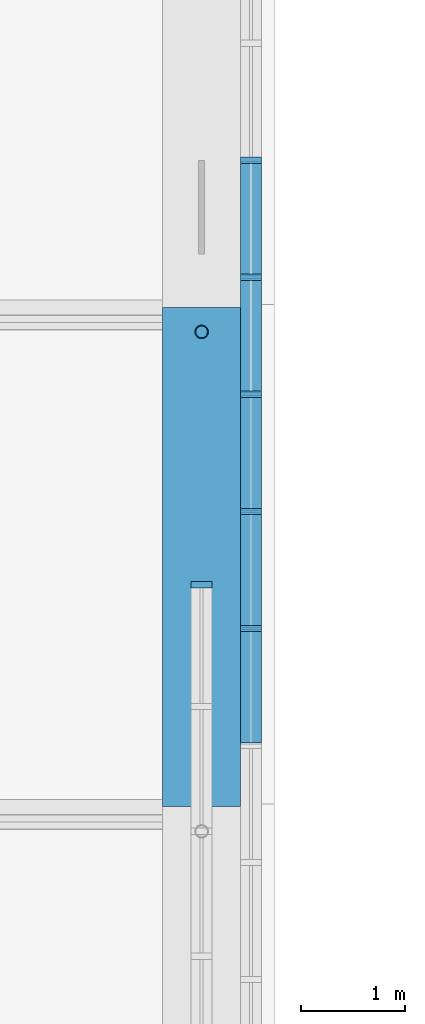
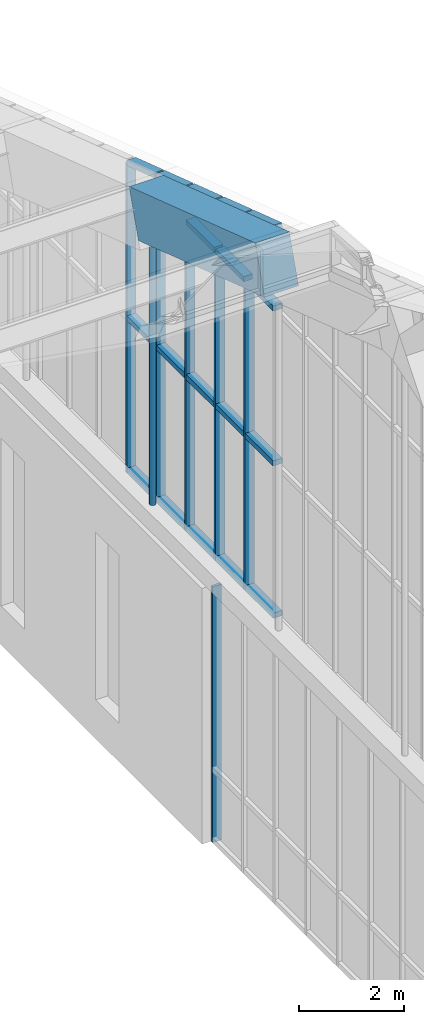
# One storey, part 100 of 149: 25 members, 1 beam, 2 elements without a shape of their own.
"""IFC4 building model written with IfcOpenShell, lengths in metres."""

from ifc_helpers import new_model, si_unit, direction, frame, origin, origin_2d, place, context, subcontext, project, spatial, rectangle, hollow_circle, extrude, material, material_profile, profile_set, type_object, element, aggregate, save


model = new_model("IFC4")

# Units and contexts
model_context = context("Model", 3, precision=1e-05, world=origin(), true_north=direction((0.0, 1.0)))
body_context = subcontext(model_context, "Body", "Model", "MODEL_VIEW")
ifc_project = project(units=[si_unit("LENGTHUNIT", "METRE"), si_unit("AREAUNIT", "SQUARE_METRE"), si_unit("VOLUMEUNIT", "CUBIC_METRE"), si_unit("PLANEANGLEUNIT", "RADIAN"), si_unit("MASSUNIT", "GRAM", prefix="KILO")], contexts=[model_context])

# Site, building, storey
site_placement = place(None, origin())
site = spatial("IfcSite", under=ifc_project, at=site_placement, CompositionType="ELEMENT")
building_placement = place(site_placement, origin())
building = spatial("IfcBuilding", under=site, at=building_placement, Name="Alderwick Market Hall", CompositionType="ELEMENT")
storey_placement = place(building_placement, frame((0.0, 0.0, 9.60009765625)))
storey = spatial("IfcBuildingStorey", under=building, at=storey_placement, Name="L01", CompositionType="ELEMENT", Elevation=9.60009765625)

# Beam
ifc_material_1 = material(Name="Concrete 5000 psi (f'c 35 MPa)", Category="concrete")
ifc_material_profile_1 = material_profile(ifc_material_1, rectangle(XDim=0.75, YDim=1.10009765625, at=origin_2d()), Name="RC 750x1100")
ifc_profile_set_1 = profile_set([ifc_material_profile_1], Name="Concrete 5000 psi (f'c 35 MPa)")
beam_type = type_object("IfcBeamType", Name="R Arch Rib Crown 750x1100", PredefinedType="BEAM", material=ifc_profile_set_1)
beam_placement = place(storey_placement, frame((151.199951171875, 84.063232421875, 14.78955078125), z_axis=(0.0, 0.948692948114, -0.316198814353), x_axis=(-1.0, 0.0, 0.0)))
element("IfcBeam", 1, at=beam_placement, inside=storey, type_object=beam_type, Name="Arch rib 8 chord 8", PredefinedType="BEAM", context=body_context, shape_type="SweptSolid", body=[
    extrude(rectangle(XDim=0.75, YDim=1.10009765625, at=origin_2d()), origin(), (0.0, 0.0, 1.0), 5.0595703125),
])

# Curtain wall, member
ifc_material_2 = material(Name="Aluminium", Category="aluminium")
curtain_wall_type = type_object("IfcCurtainWallType", Name="R Curtain Wall Frame", PredefinedType="NOTDEFINED", material=ifc_material_2)
curtain_wall_1_placement = place(storey_placement, origin())
curtain_wall_1 = element("IfcCurtainWall", 2, at=curtain_wall_1_placement, inside=storey, type_object=curtain_wall_type, Name="Curtain wall GCW2", PredefinedType="NOTDEFINED")
ifc_material_profile_2 = material_profile(ifc_material_2, rectangle(XDim=0.199951171875, YDim=0.06005859375, at=origin_2d()), Name="AL 60x200")
ifc_profile_set_2 = profile_set([ifc_material_profile_2], Name="Aluminium")
member_type_1 = type_object("IfcMemberType", Name="R CW Mullion 60x200", PredefinedType="MULLION", material=ifc_profile_set_2)
member_1_placement = place(storey_placement, frame((151.199951171875, 86.3701171875, 0.0), z_axis=(0.0, 0.0, 1.0), x_axis=(1.0, 0.0, 0.0)))
member_1 = element("IfcMember", 3, at=member_1_placement, type_object=member_type_1, Name="GCW2 mullion 13", PredefinedType="MULLION", context=body_context, shape_type="SweptSolid", body=[
    extrude(rectangle(XDim=0.199951171875, YDim=0.06005859375, at=origin_2d()), origin(), (0.0, 0.0, 1.0), 5.94677734375),
])
aggregate(curtain_wall_1, [member_1])

# Curtain wall, members
curtain_wall_2_placement = place(storey_placement, origin())
curtain_wall_2 = element("IfcCurtainWall", 4, at=curtain_wall_2_placement, inside=storey, type_object=curtain_wall_type, Name="Curtain wall GCW3", PredefinedType="NOTDEFINED")
member_2_placement = place(storey_placement, frame((151.675048828125, 85.949951171875, 5.94677734375), z_axis=(0.0, 0.0, 1.0), x_axis=(1.0, 0.0, 0.0)))
member_2 = element("IfcMember", 5, at=member_2_placement, type_object=member_type_1, Name="GCW3 mullion 31", PredefinedType="MULLION", context=body_context, shape_type="SweptSolid", body=[
    extrude(rectangle(XDim=0.199951171875, YDim=0.06005859375, at=origin_2d()), origin(), (0.0, 0.0, 1.0), 8.700439453125),
])
member_3_placement = place(storey_placement, frame((151.675048828125, 87.074951171875, 5.94677734375), z_axis=(0.0, 0.0, 1.0), x_axis=(1.0, 0.0, 0.0)))
member_3 = element("IfcMember", 6, at=member_3_placement, type_object=member_type_1, Name="GCW3 mullion 32", PredefinedType="MULLION", context=body_context, shape_type="SweptSolid", body=[
    extrude(rectangle(XDim=0.199951171875, YDim=0.06005859375, at=origin_2d()), origin(), (0.0, 0.0, 1.0), 8.325439453125),
])
member_4_placement = place(storey_placement, frame((151.675048828125, 88.199951171875, 5.94677734375), z_axis=(0.0, 0.0, 1.0), x_axis=(1.0, 0.0, 0.0)))
member_4 = element("IfcMember", 7, at=member_4_placement, type_object=member_type_1, Name="GCW3 mullion 33", PredefinedType="MULLION", context=body_context, shape_type="SweptSolid", body=[
    extrude(rectangle(XDim=0.199951171875, YDim=0.06005859375, at=origin_2d()), origin(), (0.0, 0.0, 1.0), 7.950439453125),
])
member_5_placement = place(storey_placement, frame((151.675048828125, 89.324951171875, 5.94677734375), z_axis=(0.0, 0.0, 1.0), x_axis=(1.0, 0.0, 0.0)))
member_5 = element("IfcMember", 8, at=member_5_placement, type_object=member_type_1, Name="GCW3 mullion 34", PredefinedType="MULLION", context=body_context, shape_type="SweptSolid", body=[
    extrude(rectangle(XDim=0.199951171875, YDim=0.06005859375, at=origin_2d()), origin(), (0.0, 0.0, 1.0), 7.575439453125),
])
member_6_placement = place(storey_placement, frame((151.675048828125, 90.449951171875, 5.94677734375), z_axis=(0.0, 0.0, 1.0), x_axis=(1.0, 0.0, 0.0)))
member_6 = element("IfcMember", 9, at=member_6_placement, type_object=member_type_1, Name="GCW3 mullion 35", PredefinedType="MULLION", context=body_context, shape_type="SweptSolid", body=[
    extrude(rectangle(XDim=0.199951171875, YDim=0.06005859375, at=origin_2d()), origin(), (0.0, 0.0, 1.0), 7.200439453125),
])
ifc_material_profile_3 = material_profile(ifc_material_2, rectangle(XDim=0.199951171875, YDim=0.1201171875, at=origin_2d()), Name="AL 120x200")
ifc_profile_set_3 = profile_set([ifc_material_profile_3], Name="Aluminium")
member_type_2 = type_object("IfcMemberType", Name="R CW Transom 120x200", PredefinedType="USERDEFINED", material=ifc_profile_set_3)
member_7_placement = place(storey_placement, frame((151.675048828125, 84.85498046875, 6.006591796875), z_axis=(0.0, 1.0, 0.0), x_axis=(-1.0, 0.0, 0.0)))
member_7 = element("IfcMember", 10, at=member_7_placement, type_object=member_type_2, Name="GCW3 sill transom 30", ObjectType="TRANSOM", PredefinedType="USERDEFINED", context=body_context, shape_type="SweptSolid", body=[
    extrude(rectangle(XDim=0.199951171875, YDim=0.1201171875, at=origin_2d()), origin(), (0.0, 0.0, 1.0), 1.06494140625),
])
member_8_placement = place(storey_placement, frame((151.675048828125, 84.85498046875, 9.546630859375), z_axis=(0.0, 1.0, 0.0), x_axis=(-1.0, 0.0, 0.0)))
member_8 = element("IfcMember", 11, at=member_8_placement, type_object=member_type_2, Name="GCW3 transom 30.1", ObjectType="TRANSOM", PredefinedType="USERDEFINED", context=body_context, shape_type="SweptSolid", body=[
    extrude(rectangle(XDim=0.199951171875, YDim=0.1201171875, at=origin_2d()), origin(), (0.0, 0.0, 1.0), 1.06494140625),
])
member_9_placement = place(storey_placement, frame((151.675048828125, 84.85498046875, 13.146728515625), z_axis=(0.0, 1.0, 0.0), x_axis=(-1.0, 0.0, 0.0)))
member_9 = element("IfcMember", 12, at=member_9_placement, type_object=member_type_2, Name="GCW3 transom 30.2", ObjectType="TRANSOM", PredefinedType="USERDEFINED", context=body_context, shape_type="SweptSolid", body=[
    extrude(rectangle(XDim=0.199951171875, YDim=0.1201171875, at=origin_2d()), origin(), (0.0, 0.0, 1.0), 1.06494140625),
])
member_10_placement = place(storey_placement, frame((151.675048828125, 84.85498046875, 15.01220703125), z_axis=(0.0, 0.948683298051, -0.316227766017), x_axis=(-1.0, 0.0, 0.0)))
member_10 = element("IfcMember", 13, at=member_10_placement, type_object=member_type_2, Name="GCW3 arch cap 30", ObjectType="TRANSOM", PredefinedType="USERDEFINED", context=body_context, shape_type="SweptSolid", body=[
    extrude(rectangle(XDim=0.199951171875, YDim=0.1201171875, at=origin_2d()), origin(), (0.0, 0.0, 1.0), 1.12255859375),
])
member_11_placement = place(storey_placement, frame((151.675048828125, 85.97998046875, 6.006591796875), z_axis=(0.0, 1.0, 0.0), x_axis=(-1.0, 0.0, 0.0)))
member_11 = element("IfcMember", 14, at=member_11_placement, type_object=member_type_2, Name="GCW3 sill transom 31", ObjectType="TRANSOM", PredefinedType="USERDEFINED", context=body_context, shape_type="SweptSolid", body=[
    extrude(rectangle(XDim=0.199951171875, YDim=0.1201171875, at=origin_2d()), origin(), (0.0, 0.0, 1.0), 1.06494140625),
])
member_12_placement = place(storey_placement, frame((151.675048828125, 85.97998046875, 9.546630859375), z_axis=(0.0, 1.0, 0.0), x_axis=(-1.0, 0.0, 0.0)))
member_12 = element("IfcMember", 15, at=member_12_placement, type_object=member_type_2, Name="GCW3 transom 31.1", ObjectType="TRANSOM", PredefinedType="USERDEFINED", context=body_context, shape_type="SweptSolid", body=[
    extrude(rectangle(XDim=0.199951171875, YDim=0.1201171875, at=origin_2d()), origin(), (0.0, 0.0, 1.0), 1.06494140625),
])
member_13_placement = place(storey_placement, frame((151.675048828125, 85.97998046875, 13.146728515625), z_axis=(0.0, 1.0, 0.0), x_axis=(-1.0, 0.0, 0.0)))
member_13 = element("IfcMember", 16, at=member_13_placement, type_object=member_type_2, Name="GCW3 transom 31.2", ObjectType="TRANSOM", PredefinedType="USERDEFINED", context=body_context, shape_type="SweptSolid", body=[
    extrude(rectangle(XDim=0.199951171875, YDim=0.1201171875, at=origin_2d()), origin(), (0.0, 0.0, 1.0), 1.06494140625),
])
member_14_placement = place(storey_placement, frame((151.675048828125, 85.97998046875, 14.63720703125), z_axis=(0.0, 0.948683298051, -0.316227766017), x_axis=(-1.0, 0.0, 0.0)))
member_14 = element("IfcMember", 17, at=member_14_placement, type_object=member_type_2, Name="GCW3 arch cap 31", ObjectType="TRANSOM", PredefinedType="USERDEFINED", context=body_context, shape_type="SweptSolid", body=[
    extrude(rectangle(XDim=0.199951171875, YDim=0.1201171875, at=origin_2d()), origin(), (0.0, 0.0, 1.0), 1.12255859375),
])
member_15_placement = place(storey_placement, frame((151.675048828125, 87.10498046875, 6.006591796875), z_axis=(0.0, 1.0, 0.0), x_axis=(-1.0, 0.0, 0.0)))
member_15 = element("IfcMember", 18, at=member_15_placement, type_object=member_type_2, Name="GCW3 sill transom 32", ObjectType="TRANSOM", PredefinedType="USERDEFINED", context=body_context, shape_type="SweptSolid", body=[
    extrude(rectangle(XDim=0.199951171875, YDim=0.1201171875, at=origin_2d()), origin(), (0.0, 0.0, 1.0), 1.06494140625),
])
member_16_placement = place(storey_placement, frame((151.675048828125, 87.10498046875, 9.546630859375), z_axis=(0.0, 1.0, 0.0), x_axis=(-1.0, 0.0, 0.0)))
member_16 = element("IfcMember", 19, at=member_16_placement, type_object=member_type_2, Name="GCW3 transom 32.1", ObjectType="TRANSOM", PredefinedType="USERDEFINED", context=body_context, shape_type="SweptSolid", body=[
    extrude(rectangle(XDim=0.199951171875, YDim=0.1201171875, at=origin_2d()), origin(), (0.0, 0.0, 1.0), 1.06494140625),
])
member_17_placement = place(storey_placement, frame((151.675048828125, 87.10498046875, 13.146728515625), z_axis=(0.0, 1.0, 0.0), x_axis=(-1.0, 0.0, 0.0)))
member_17 = element("IfcMember", 20, at=member_17_placement, type_object=member_type_2, Name="GCW3 transom 32.2", ObjectType="TRANSOM", PredefinedType="USERDEFINED", context=body_context, shape_type="SweptSolid", body=[
    extrude(rectangle(XDim=0.199951171875, YDim=0.1201171875, at=origin_2d()), origin(), (0.0, 0.0, 1.0), 1.06494140625),
])
member_18_placement = place(storey_placement, frame((151.675048828125, 87.10498046875, 14.26220703125), z_axis=(0.0, 0.948683298051, -0.316227766017), x_axis=(-1.0, 0.0, 0.0)))
member_18 = element("IfcMember", 21, at=member_18_placement, type_object=member_type_2, Name="GCW3 arch cap 32", ObjectType="TRANSOM", PredefinedType="USERDEFINED", context=body_context, shape_type="SweptSolid", body=[
    extrude(rectangle(XDim=0.199951171875, YDim=0.1201171875, at=origin_2d()), origin(), (0.0, 0.0, 1.0), 1.12255859375),
])
member_19_placement = place(storey_placement, frame((151.675048828125, 88.22998046875, 6.006591796875), z_axis=(0.0, 1.0, 0.0), x_axis=(-1.0, 0.0, 0.0)))
member_19 = element("IfcMember", 22, at=member_19_placement, type_object=member_type_2, Name="GCW3 sill transom 33", ObjectType="TRANSOM", PredefinedType="USERDEFINED", context=body_context, shape_type="SweptSolid", body=[
    extrude(rectangle(XDim=0.199951171875, YDim=0.1201171875, at=origin_2d()), origin(), (0.0, 0.0, 1.0), 1.06494140625),
])
member_20_placement = place(storey_placement, frame((151.675048828125, 88.22998046875, 9.546630859375), z_axis=(0.0, 1.0, 0.0), x_axis=(-1.0, 0.0, 0.0)))
member_20 = element("IfcMember", 23, at=member_20_placement, type_object=member_type_2, Name="GCW3 transom 33.1", ObjectType="TRANSOM", PredefinedType="USERDEFINED", context=body_context, shape_type="SweptSolid", body=[
    extrude(rectangle(XDim=0.199951171875, YDim=0.1201171875, at=origin_2d()), origin(), (0.0, 0.0, 1.0), 1.06494140625),
])
member_21_placement = place(storey_placement, frame((151.675048828125, 88.22998046875, 13.88720703125), z_axis=(0.0, 0.948683298051, -0.316227766017), x_axis=(-1.0, 0.0, 0.0)))
member_21 = element("IfcMember", 24, at=member_21_placement, type_object=member_type_2, Name="GCW3 arch cap 33", ObjectType="TRANSOM", PredefinedType="USERDEFINED", context=body_context, shape_type="SweptSolid", body=[
    extrude(rectangle(XDim=0.199951171875, YDim=0.1201171875, at=origin_2d()), origin(), (0.0, 0.0, 1.0), 1.12255859375),
])
member_22_placement = place(storey_placement, frame((151.675048828125, 89.35498046875, 6.006591796875), z_axis=(0.0, 1.0, 0.0), x_axis=(-1.0, 0.0, 0.0)))
member_22 = element("IfcMember", 25, at=member_22_placement, type_object=member_type_2, Name="GCW3 sill transom 34", ObjectType="TRANSOM", PredefinedType="USERDEFINED", context=body_context, shape_type="SweptSolid", body=[
    extrude(rectangle(XDim=0.199951171875, YDim=0.1201171875, at=origin_2d()), origin(), (0.0, 0.0, 1.0), 1.06494140625),
])
member_23_placement = place(storey_placement, frame((151.675048828125, 89.35498046875, 9.546630859375), z_axis=(0.0, 1.0, 0.0), x_axis=(-1.0, 0.0, 0.0)))
member_23 = element("IfcMember", 26, at=member_23_placement, type_object=member_type_2, Name="GCW3 transom 34.1", ObjectType="TRANSOM", PredefinedType="USERDEFINED", context=body_context, shape_type="SweptSolid", body=[
    extrude(rectangle(XDim=0.199951171875, YDim=0.1201171875, at=origin_2d()), origin(), (0.0, 0.0, 1.0), 1.06494140625),
])
member_24_placement = place(storey_placement, frame((151.675048828125, 89.35498046875, 13.51220703125), z_axis=(0.0, 0.948683298051, -0.316227766017), x_axis=(-1.0, 0.0, 0.0)))
member_24 = element("IfcMember", 27, at=member_24_placement, type_object=member_type_2, Name="GCW3 arch cap 34", ObjectType="TRANSOM", PredefinedType="USERDEFINED", context=body_context, shape_type="SweptSolid", body=[
    extrude(rectangle(XDim=0.199951171875, YDim=0.1201171875, at=origin_2d()), origin(), (0.0, 0.0, 1.0), 1.12255859375),
])
aggregate(curtain_wall_2, [member_2, member_3, member_4, member_5, member_6, member_7, member_8, member_9, member_10, member_11, member_12, member_13, member_14, member_15, member_16, member_17, member_18, member_19, member_20, member_21, member_22, member_23, member_24])

# Member
ifc_material_3 = material(Name="Steel ASTM A500 Grade C", Category="steel")
ifc_material_profile_4 = material_profile(ifc_material_3, hollow_circle(Radius=0.0634765625, WallThickness=0.005859375, at=origin_2d()), Name="HSS5.000x0.250")
ifc_profile_set_4 = profile_set([ifc_material_profile_4], Name="Steel ASTM A500 Grade C")
member_type_3 = type_object("IfcMemberType", Name="R Hanger HSS5.000x0.250", PredefinedType="POST", material=ifc_profile_set_4)
member_25_placement = place(storey_placement, frame((151.199951171875, 88.800048828125, 6.35302734375), z_axis=(0.0, 0.0, 1.0), x_axis=(1.0, 0.0, 0.0)))
element("IfcMember", 28, at=member_25_placement, inside=storey, type_object=member_type_3, Name="Arch hanger 8.8", PredefinedType="POST", context=body_context, shape_type="SweptSolid", body=[
    extrude(hollow_circle(Radius=0.0634765625, WallThickness=0.005859375, at=origin_2d()), origin(), (0.0, 0.0, 1.0), 6.0458984375),
])

save(model, "model.ifc")
